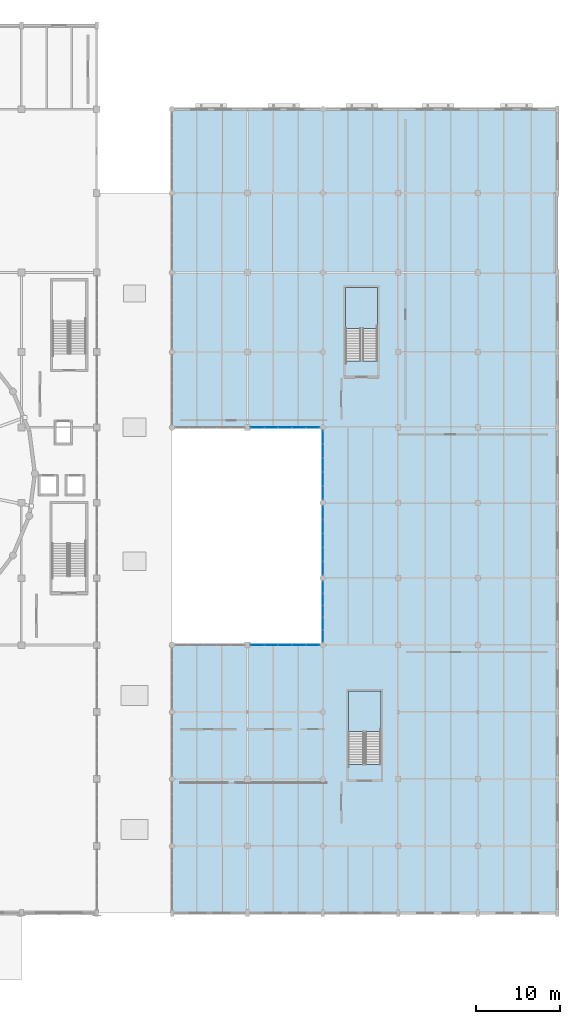
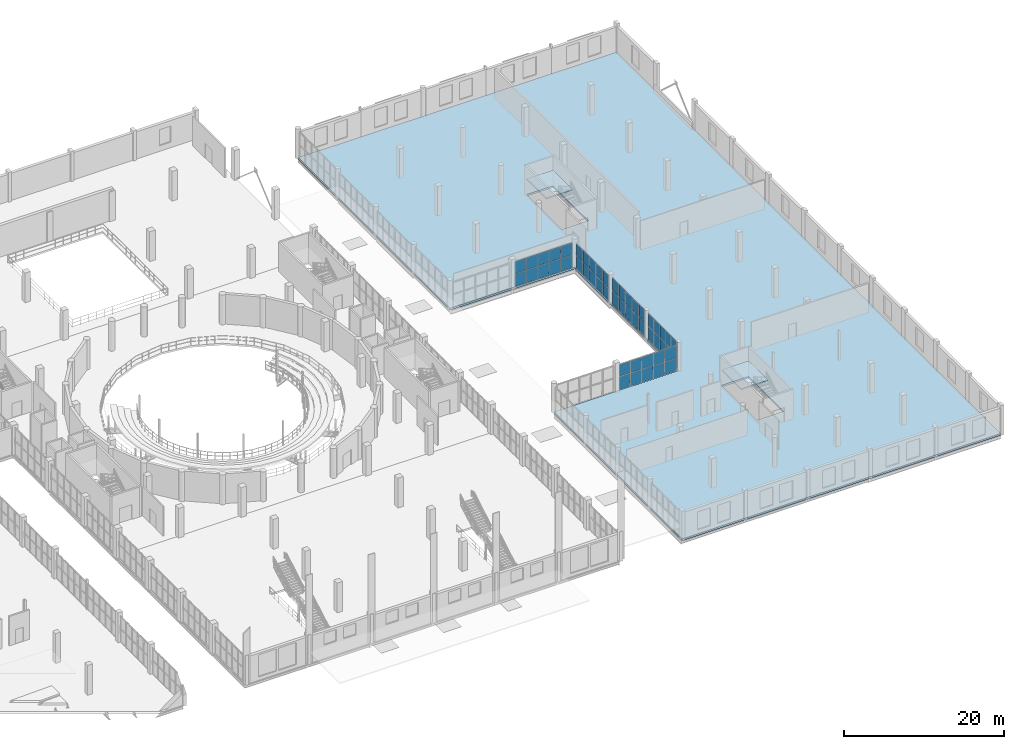
# One storey, part 64 of 93: 50 plates, 3 slabs, 7 elements without a shape of their own.
"""IFC4 building model written with IfcOpenShell, lengths in metres."""

from ifc_helpers import new_model, si_unit, direction, frame, origin, origin_2d, place, context, subcontext, project, spatial, polyline, rectangle, outline, extrude, material, layer, layer_set, type_object, element, aggregate, save


model = new_model("IFC4")

# Units and contexts
model_context = context("Model", 3, precision=1e-05, world=origin(), true_north=direction((0.0, 1.0)))
body_context = subcontext(model_context, "Body", "Model", "MODEL_VIEW")
ifc_project = project(units=[si_unit("LENGTHUNIT", "METRE"), si_unit("AREAUNIT", "SQUARE_METRE"), si_unit("VOLUMEUNIT", "CUBIC_METRE"), si_unit("PLANEANGLEUNIT", "RADIAN"), si_unit("MASSUNIT", "GRAM", prefix="KILO")], contexts=[model_context])

# Site, building, storey
site_placement = place(None, origin())
site = spatial("IfcSite", under=ifc_project, at=site_placement, CompositionType="ELEMENT")
building_placement = place(site_placement, origin())
building = spatial("IfcBuilding", under=site, at=building_placement, Name="Marnock Terrace Opera House", CompositionType="ELEMENT")
storey_placement = place(building_placement, frame((0.0, 0.0, 5.39990234375)))
storey = spatial("IfcBuildingStorey", under=building, at=storey_placement, Name="L01", CompositionType="ELEMENT", Elevation=5.39990234375)

# Curtain wall, plates
ifc_material_1 = material(Name="Anodised architectural bronze aluminium framing", Category="aluminium")
ifc_layer_1 = layer(ifc_material_1, 0.159912109375)
ifc_layer_set_1 = layer_set([ifc_layer_1], Name="Anodised architectural bronze aluminium framing")
curtain_wall_type = type_object("IfcCurtainWallType", Name="CW-LOGGIA-86x45", PredefinedType="NOTDEFINED", material=ifc_layer_set_1)
curtain_wall_1_placement = place(storey_placement, origin())
curtain_wall_1 = element("IfcCurtainWall", 1, at=curtain_wall_1_placement, inside=storey, type_object=curtain_wall_type, Name="L01 glazed Beaux-Arts colonnade curtain wall CW-V5-L01-CS2", PredefinedType="NOTDEFINED")
ifc_material_2 = material(Name="Double-glazed acoustic low-E laminated glass", Category="glass")
ifc_layer_2 = layer(ifc_material_2, 0.028076171875)
ifc_layer_set_2 = layer_set([ifc_layer_2], Name="Double-glazed acoustic low-E laminated glass")
plate_type = type_object("IfcPlateType", Name="CWP-GLZ-28", PredefinedType="CURTAIN_PANEL", material=ifc_layer_set_2)
plate_1_placement = place(storey_placement, frame((128.19189453125, 40.0, 0.06005859375), z_axis=(0.0, 0.0, 1.0), x_axis=(1.0, 0.0, 0.0)))
plate_1 = element("IfcPlate", 2, at=plate_1_placement, type_object=plate_type, Name="CW-61 panel 1.1", PredefinedType="CURTAIN_PANEL", context=body_context, shape_type="SweptSolid", body=[
    extrude(rectangle(XDim=1.571533203125, YDim=0.028076171875, at=origin_2d()), origin(), (0.0, 0.0, 1.0), 1.97802734375),
])
plate_2_placement = place(storey_placement, frame((128.19189453125, 40.0, 2.09814453125), z_axis=(0.0, 0.0, 1.0), x_axis=(1.0, 0.0, 0.0)))
plate_2 = element("IfcPlate", 3, at=plate_2_placement, type_object=plate_type, Name="CW-61 panel 1.2", PredefinedType="CURTAIN_PANEL", context=body_context, shape_type="SweptSolid", body=[
    extrude(rectangle(XDim=1.571533203125, YDim=0.028076171875, at=origin_2d()), origin(), (0.0, 0.0, 1.0), 1.819091796875),
])
plate_3_placement = place(storey_placement, frame((129.83837890625, 40.0, 0.06005859375), z_axis=(0.0, 0.0, 1.0), x_axis=(1.0, 0.0, 0.0)))
plate_3 = element("IfcPlate", 4, at=plate_3_placement, type_object=plate_type, Name="CW-61 panel 2.1", PredefinedType="CURTAIN_PANEL", context=body_context, shape_type="SweptSolid", body=[
    extrude(rectangle(XDim=1.6015625, YDim=0.028076171875, at=origin_2d()), origin(), (0.0, 0.0, 1.0), 1.97802734375),
])
plate_4_placement = place(storey_placement, frame((129.83837890625, 40.0, 2.09814453125), z_axis=(0.0, 0.0, 1.0), x_axis=(1.0, 0.0, 0.0)))
plate_4 = element("IfcPlate", 5, at=plate_4_placement, type_object=plate_type, Name="CW-61 panel 2.2", PredefinedType="CURTAIN_PANEL", context=body_context, shape_type="SweptSolid", body=[
    extrude(rectangle(XDim=1.6015625, YDim=0.028076171875, at=origin_2d()), origin(), (0.0, 0.0, 1.0), 1.819091796875),
])
plate_5_placement = place(storey_placement, frame((131.5, 40.0, 0.06005859375), z_axis=(0.0, 0.0, 1.0), x_axis=(1.0, 0.0, 0.0)))
plate_5 = element("IfcPlate", 6, at=plate_5_placement, type_object=plate_type, Name="CW-61 panel 3.1", PredefinedType="CURTAIN_PANEL", context=body_context, shape_type="SweptSolid", body=[
    extrude(rectangle(XDim=1.6015625, YDim=0.028076171875, at=origin_2d()), origin(), (0.0, 0.0, 1.0), 1.97802734375),
])
plate_6_placement = place(storey_placement, frame((131.5, 40.0, 2.09814453125), z_axis=(0.0, 0.0, 1.0), x_axis=(1.0, 0.0, 0.0)))
plate_6 = element("IfcPlate", 7, at=plate_6_placement, type_object=plate_type, Name="CW-61 panel 3.2", PredefinedType="CURTAIN_PANEL", context=body_context, shape_type="SweptSolid", body=[
    extrude(rectangle(XDim=1.6015625, YDim=0.028076171875, at=origin_2d()), origin(), (0.0, 0.0, 1.0), 1.819091796875),
])
plate_7_placement = place(storey_placement, frame((133.16162109375, 40.0, 0.06005859375), z_axis=(0.0, 0.0, 1.0), x_axis=(1.0, 0.0, 0.0)))
plate_7 = element("IfcPlate", 8, at=plate_7_placement, type_object=plate_type, Name="CW-61 panel 4.1", PredefinedType="CURTAIN_PANEL", context=body_context, shape_type="SweptSolid", body=[
    extrude(rectangle(XDim=1.6015625, YDim=0.028076171875, at=origin_2d()), origin(), (0.0, 0.0, 1.0), 1.97802734375),
])
plate_8_placement = place(storey_placement, frame((133.16162109375, 40.0, 2.09814453125), z_axis=(0.0, 0.0, 1.0), x_axis=(1.0, 0.0, 0.0)))
plate_8 = element("IfcPlate", 9, at=plate_8_placement, type_object=plate_type, Name="CW-61 panel 4.2", PredefinedType="CURTAIN_PANEL", context=body_context, shape_type="SweptSolid", body=[
    extrude(rectangle(XDim=1.6015625, YDim=0.028076171875, at=origin_2d()), origin(), (0.0, 0.0, 1.0), 1.819091796875),
])
plate_9_placement = place(storey_placement, frame((134.80810546875, 40.0, 0.06005859375), z_axis=(0.0, 0.0, 1.0), x_axis=(1.0, 0.0, 0.0)))
plate_9 = element("IfcPlate", 10, at=plate_9_placement, type_object=plate_type, Name="CW-61 panel 5.1", PredefinedType="CURTAIN_PANEL", context=body_context, shape_type="SweptSolid", body=[
    extrude(rectangle(XDim=1.571533203125, YDim=0.028076171875, at=origin_2d()), origin(), (0.0, 0.0, 1.0), 1.97802734375),
])
plate_10_placement = place(storey_placement, frame((134.80810546875, 40.0, 2.09814453125), z_axis=(0.0, 0.0, 1.0), x_axis=(1.0, 0.0, 0.0)))
plate_10 = element("IfcPlate", 11, at=plate_10_placement, type_object=plate_type, Name="CW-61 panel 5.2", PredefinedType="CURTAIN_PANEL", context=body_context, shape_type="SweptSolid", body=[
    extrude(rectangle(XDim=1.571533203125, YDim=0.028076171875, at=origin_2d()), origin(), (0.0, 0.0, 1.0), 1.819091796875),
])
aggregate(curtain_wall_1, [plate_1, plate_2, plate_3, plate_4, plate_5, plate_6, plate_7, plate_8, plate_9, plate_10])

curtain_wall_2_placement = place(storey_placement, origin())
curtain_wall_2 = element("IfcCurtainWall", 12, at=curtain_wall_2_placement, inside=storey, type_object=curtain_wall_type, Name="L01 glazed Beaux-Arts colonnade curtain wall CW-V5-L01-CE1", PredefinedType="NOTDEFINED")
plate_11_placement = place(storey_placement, frame((136.0, 41.091796875, 0.06005859375), z_axis=(0.0, 0.0, 1.0), x_axis=(0.0, 1.0, 0.0)))
plate_11 = element("IfcPlate", 13, at=plate_11_placement, type_object=plate_type, Name="CW-61 panel 1.1", PredefinedType="CURTAIN_PANEL", context=body_context, shape_type="SweptSolid", body=[
    extrude(rectangle(XDim=1.37158203125, YDim=0.028076171875, at=origin_2d()), origin(), (0.0, 0.0, 1.0), 2.0703125),
])
plate_12_placement = place(storey_placement, frame((136.0, 41.091796875, 2.1904296875), z_axis=(0.0, 0.0, 1.0), x_axis=(0.0, 1.0, 0.0)))
plate_12 = element("IfcPlate", 14, at=plate_12_placement, type_object=plate_type, Name="CW-61 panel 1.2", PredefinedType="CURTAIN_PANEL", context=body_context, shape_type="SweptSolid", body=[
    extrude(rectangle(XDim=1.37158203125, YDim=0.028076171875, at=origin_2d()), origin(), (0.0, 0.0, 1.0), 1.904052734375),
])
plate_13_placement = place(storey_placement, frame((136.0, 42.538330078125, 0.06005859375), z_axis=(0.0, 0.0, 1.0), x_axis=(0.0, 1.0, 0.0)))
plate_13 = element("IfcPlate", 15, at=plate_13_placement, type_object=plate_type, Name="CW-61 panel 2.1", PredefinedType="CURTAIN_PANEL", context=body_context, shape_type="SweptSolid", body=[
    extrude(rectangle(XDim=1.401611328125, YDim=0.028076171875, at=origin_2d()), origin(), (0.0, 0.0, 1.0), 2.0703125),
])
plate_14_placement = place(storey_placement, frame((136.0, 42.538330078125, 2.1904296875), z_axis=(0.0, 0.0, 1.0), x_axis=(0.0, 1.0, 0.0)))
plate_14 = element("IfcPlate", 16, at=plate_14_placement, type_object=plate_type, Name="CW-61 panel 2.2", PredefinedType="CURTAIN_PANEL", context=body_context, shape_type="SweptSolid", body=[
    extrude(rectangle(XDim=1.401611328125, YDim=0.028076171875, at=origin_2d()), origin(), (0.0, 0.0, 1.0), 1.904052734375),
])
plate_15_placement = place(storey_placement, frame((136.0, 44.0, 0.06005859375), z_axis=(0.0, 0.0, 1.0), x_axis=(0.0, 1.0, 0.0)))
plate_15 = element("IfcPlate", 17, at=plate_15_placement, type_object=plate_type, Name="CW-61 panel 3.1", PredefinedType="CURTAIN_PANEL", context=body_context, shape_type="SweptSolid", body=[
    extrude(rectangle(XDim=1.401611328125, YDim=0.028076171875, at=origin_2d()), origin(), (0.0, 0.0, 1.0), 2.0703125),
])
plate_16_placement = place(storey_placement, frame((136.0, 44.0, 2.1904296875), z_axis=(0.0, 0.0, 1.0), x_axis=(0.0, 1.0, 0.0)))
plate_16 = element("IfcPlate", 18, at=plate_16_placement, type_object=plate_type, Name="CW-61 panel 3.2", PredefinedType="CURTAIN_PANEL", context=body_context, shape_type="SweptSolid", body=[
    extrude(rectangle(XDim=1.401611328125, YDim=0.028076171875, at=origin_2d()), origin(), (0.0, 0.0, 1.0), 1.904052734375),
])
plate_17_placement = place(storey_placement, frame((136.0, 45.461669921875, 0.06005859375), z_axis=(0.0, 0.0, 1.0), x_axis=(0.0, 1.0, 0.0)))
plate_17 = element("IfcPlate", 19, at=plate_17_placement, type_object=plate_type, Name="CW-61 panel 4.1", PredefinedType="CURTAIN_PANEL", context=body_context, shape_type="SweptSolid", body=[
    extrude(rectangle(XDim=1.401611328125, YDim=0.028076171875, at=origin_2d()), origin(), (0.0, 0.0, 1.0), 2.0703125),
])
plate_18_placement = place(storey_placement, frame((136.0, 45.461669921875, 2.1904296875), z_axis=(0.0, 0.0, 1.0), x_axis=(0.0, 1.0, 0.0)))
plate_18 = element("IfcPlate", 20, at=plate_18_placement, type_object=plate_type, Name="CW-61 panel 4.2", PredefinedType="CURTAIN_PANEL", context=body_context, shape_type="SweptSolid", body=[
    extrude(rectangle(XDim=1.401611328125, YDim=0.028076171875, at=origin_2d()), origin(), (0.0, 0.0, 1.0), 1.904052734375),
])
plate_19_placement = place(storey_placement, frame((136.0, 46.908203125, 0.06005859375), z_axis=(0.0, 0.0, 1.0), x_axis=(0.0, 1.0, 0.0)))
plate_19 = element("IfcPlate", 21, at=plate_19_placement, type_object=plate_type, Name="CW-61 panel 5.1", PredefinedType="CURTAIN_PANEL", context=body_context, shape_type="SweptSolid", body=[
    extrude(rectangle(XDim=1.37158203125, YDim=0.028076171875, at=origin_2d()), origin(), (0.0, 0.0, 1.0), 2.0703125),
])
plate_20_placement = place(storey_placement, frame((136.0, 46.908203125, 2.1904296875), z_axis=(0.0, 0.0, 1.0), x_axis=(0.0, 1.0, 0.0)))
plate_20 = element("IfcPlate", 22, at=plate_20_placement, type_object=plate_type, Name="CW-61 panel 5.2", PredefinedType="CURTAIN_PANEL", context=body_context, shape_type="SweptSolid", body=[
    extrude(rectangle(XDim=1.37158203125, YDim=0.028076171875, at=origin_2d()), origin(), (0.0, 0.0, 1.0), 1.904052734375),
])
aggregate(curtain_wall_2, [plate_11, plate_12, plate_13, plate_14, plate_15, plate_16, plate_17, plate_18, plate_19, plate_20])

curtain_wall_3_placement = place(storey_placement, origin())
curtain_wall_3 = element("IfcCurtainWall", 23, at=curtain_wall_3_placement, inside=storey, type_object=curtain_wall_type, Name="L01 glazed Beaux-Arts colonnade curtain wall CW-V5-L01-CE2", PredefinedType="NOTDEFINED")
plate_21_placement = place(storey_placement, frame((136.0, 49.19189453125, 0.06005859375), z_axis=(0.0, 0.0, 1.0), x_axis=(0.0, 1.0, 0.0)))
plate_21 = element("IfcPlate", 24, at=plate_21_placement, type_object=plate_type, Name="CW-61 panel 1.1", PredefinedType="CURTAIN_PANEL", context=body_context, shape_type="SweptSolid", body=[
    extrude(rectangle(XDim=1.571533203125, YDim=0.028076171875, at=origin_2d()), origin(), (0.0, 0.0, 1.0), 2.0703125),
])
plate_22_placement = place(storey_placement, frame((136.0, 49.19189453125, 2.1904296875), z_axis=(0.0, 0.0, 1.0), x_axis=(0.0, 1.0, 0.0)))
plate_22 = element("IfcPlate", 25, at=plate_22_placement, type_object=plate_type, Name="CW-61 panel 1.2", PredefinedType="CURTAIN_PANEL", context=body_context, shape_type="SweptSolid", body=[
    extrude(rectangle(XDim=1.571533203125, YDim=0.028076171875, at=origin_2d()), origin(), (0.0, 0.0, 1.0), 1.904052734375),
])
plate_23_placement = place(storey_placement, frame((136.0, 50.83837890625, 0.06005859375), z_axis=(0.0, 0.0, 1.0), x_axis=(0.0, 1.0, 0.0)))
plate_23 = element("IfcPlate", 26, at=plate_23_placement, type_object=plate_type, Name="CW-61 panel 2.1", PredefinedType="CURTAIN_PANEL", context=body_context, shape_type="SweptSolid", body=[
    extrude(rectangle(XDim=1.6015625, YDim=0.028076171875, at=origin_2d()), origin(), (0.0, 0.0, 1.0), 2.0703125),
])
plate_24_placement = place(storey_placement, frame((136.0, 50.83837890625, 2.1904296875), z_axis=(0.0, 0.0, 1.0), x_axis=(0.0, 1.0, 0.0)))
plate_24 = element("IfcPlate", 27, at=plate_24_placement, type_object=plate_type, Name="CW-61 panel 2.2", PredefinedType="CURTAIN_PANEL", context=body_context, shape_type="SweptSolid", body=[
    extrude(rectangle(XDim=1.6015625, YDim=0.028076171875, at=origin_2d()), origin(), (0.0, 0.0, 1.0), 1.904052734375),
])
plate_25_placement = place(storey_placement, frame((136.0, 52.5, 0.06005859375), z_axis=(0.0, 0.0, 1.0), x_axis=(0.0, 1.0, 0.0)))
plate_25 = element("IfcPlate", 28, at=plate_25_placement, type_object=plate_type, Name="CW-61 panel 3.1", PredefinedType="CURTAIN_PANEL", context=body_context, shape_type="SweptSolid", body=[
    extrude(rectangle(XDim=1.6015625, YDim=0.028076171875, at=origin_2d()), origin(), (0.0, 0.0, 1.0), 2.0703125),
])
plate_26_placement = place(storey_placement, frame((136.0, 52.5, 2.1904296875), z_axis=(0.0, 0.0, 1.0), x_axis=(0.0, 1.0, 0.0)))
plate_26 = element("IfcPlate", 29, at=plate_26_placement, type_object=plate_type, Name="CW-61 panel 3.2", PredefinedType="CURTAIN_PANEL", context=body_context, shape_type="SweptSolid", body=[
    extrude(rectangle(XDim=1.6015625, YDim=0.028076171875, at=origin_2d()), origin(), (0.0, 0.0, 1.0), 1.904052734375),
])
plate_27_placement = place(storey_placement, frame((136.0, 54.16162109375, 0.06005859375), z_axis=(0.0, 0.0, 1.0), x_axis=(0.0, 1.0, 0.0)))
plate_27 = element("IfcPlate", 30, at=plate_27_placement, type_object=plate_type, Name="CW-61 panel 4.1", PredefinedType="CURTAIN_PANEL", context=body_context, shape_type="SweptSolid", body=[
    extrude(rectangle(XDim=1.6015625, YDim=0.028076171875, at=origin_2d()), origin(), (0.0, 0.0, 1.0), 2.0703125),
])
plate_28_placement = place(storey_placement, frame((136.0, 54.16162109375, 2.1904296875), z_axis=(0.0, 0.0, 1.0), x_axis=(0.0, 1.0, 0.0)))
plate_28 = element("IfcPlate", 31, at=plate_28_placement, type_object=plate_type, Name="CW-61 panel 4.2", PredefinedType="CURTAIN_PANEL", context=body_context, shape_type="SweptSolid", body=[
    extrude(rectangle(XDim=1.6015625, YDim=0.028076171875, at=origin_2d()), origin(), (0.0, 0.0, 1.0), 1.904052734375),
])
plate_29_placement = place(storey_placement, frame((136.0, 55.80810546875, 0.06005859375), z_axis=(0.0, 0.0, 1.0), x_axis=(0.0, 1.0, 0.0)))
plate_29 = element("IfcPlate", 32, at=plate_29_placement, type_object=plate_type, Name="CW-61 panel 5.1", PredefinedType="CURTAIN_PANEL", context=body_context, shape_type="SweptSolid", body=[
    extrude(rectangle(XDim=1.571533203125, YDim=0.028076171875, at=origin_2d()), origin(), (0.0, 0.0, 1.0), 2.0703125),
])
plate_30_placement = place(storey_placement, frame((136.0, 55.80810546875, 2.1904296875), z_axis=(0.0, 0.0, 1.0), x_axis=(0.0, 1.0, 0.0)))
plate_30 = element("IfcPlate", 33, at=plate_30_placement, type_object=plate_type, Name="CW-61 panel 5.2", PredefinedType="CURTAIN_PANEL", context=body_context, shape_type="SweptSolid", body=[
    extrude(rectangle(XDim=1.571533203125, YDim=0.028076171875, at=origin_2d()), origin(), (0.0, 0.0, 1.0), 1.904052734375),
])
aggregate(curtain_wall_3, [plate_21, plate_22, plate_23, plate_24, plate_25, plate_26, plate_27, plate_28, plate_29, plate_30])

curtain_wall_4_placement = place(storey_placement, origin())
curtain_wall_4 = element("IfcCurtainWall", 34, at=curtain_wall_4_placement, inside=storey, type_object=curtain_wall_type, Name="L01 glazed Beaux-Arts colonnade curtain wall CW-V5-L01-CE3", PredefinedType="NOTDEFINED")
plate_31_placement = place(storey_placement, frame((136.0, 58.19189453125, 0.06005859375), z_axis=(0.0, 0.0, 1.0), x_axis=(0.0, 1.0, 0.0)))
plate_31 = element("IfcPlate", 35, at=plate_31_placement, type_object=plate_type, Name="CW-61 panel 1.1", PredefinedType="CURTAIN_PANEL", context=body_context, shape_type="SweptSolid", body=[
    extrude(rectangle(XDim=1.571533203125, YDim=0.028076171875, at=origin_2d()), origin(), (0.0, 0.0, 1.0), 1.942138671875),
])
plate_32_placement = place(storey_placement, frame((136.0, 58.19189453125, 2.06201171875), z_axis=(0.0, 0.0, 1.0), x_axis=(0.0, 1.0, 0.0)))
plate_32 = element("IfcPlate", 36, at=plate_32_placement, type_object=plate_type, Name="CW-61 panel 1.2", PredefinedType="CURTAIN_PANEL", context=body_context, shape_type="SweptSolid", body=[
    extrude(rectangle(XDim=1.571533203125, YDim=0.028076171875, at=origin_2d()), origin(), (0.0, 0.0, 1.0), 1.785888671875),
])
plate_33_placement = place(storey_placement, frame((136.0, 59.83837890625, 0.06005859375), z_axis=(0.0, 0.0, 1.0), x_axis=(0.0, 1.0, 0.0)))
plate_33 = element("IfcPlate", 37, at=plate_33_placement, type_object=plate_type, Name="CW-61 panel 2.1", PredefinedType="CURTAIN_PANEL", context=body_context, shape_type="SweptSolid", body=[
    extrude(rectangle(XDim=1.6015625, YDim=0.028076171875, at=origin_2d()), origin(), (0.0, 0.0, 1.0), 1.942138671875),
])
plate_34_placement = place(storey_placement, frame((136.0, 59.83837890625, 2.06201171875), z_axis=(0.0, 0.0, 1.0), x_axis=(0.0, 1.0, 0.0)))
plate_34 = element("IfcPlate", 38, at=plate_34_placement, type_object=plate_type, Name="CW-61 panel 2.2", PredefinedType="CURTAIN_PANEL", context=body_context, shape_type="SweptSolid", body=[
    extrude(rectangle(XDim=1.6015625, YDim=0.028076171875, at=origin_2d()), origin(), (0.0, 0.0, 1.0), 1.785888671875),
])
plate_35_placement = place(storey_placement, frame((136.0, 61.5, 0.06005859375), z_axis=(0.0, 0.0, 1.0), x_axis=(0.0, 1.0, 0.0)))
plate_35 = element("IfcPlate", 39, at=plate_35_placement, type_object=plate_type, Name="CW-61 panel 3.1", PredefinedType="CURTAIN_PANEL", context=body_context, shape_type="SweptSolid", body=[
    extrude(rectangle(XDim=1.6015625, YDim=0.028076171875, at=origin_2d()), origin(), (0.0, 0.0, 1.0), 1.942138671875),
])
plate_36_placement = place(storey_placement, frame((136.0, 61.5, 2.06201171875), z_axis=(0.0, 0.0, 1.0), x_axis=(0.0, 1.0, 0.0)))
plate_36 = element("IfcPlate", 40, at=plate_36_placement, type_object=plate_type, Name="CW-61 panel 3.2", PredefinedType="CURTAIN_PANEL", context=body_context, shape_type="SweptSolid", body=[
    extrude(rectangle(XDim=1.6015625, YDim=0.028076171875, at=origin_2d()), origin(), (0.0, 0.0, 1.0), 1.785888671875),
])
plate_37_placement = place(storey_placement, frame((136.0, 63.16162109375, 0.06005859375), z_axis=(0.0, 0.0, 1.0), x_axis=(0.0, 1.0, 0.0)))
plate_37 = element("IfcPlate", 41, at=plate_37_placement, type_object=plate_type, Name="CW-61 panel 4.1", PredefinedType="CURTAIN_PANEL", context=body_context, shape_type="SweptSolid", body=[
    extrude(rectangle(XDim=1.6015625, YDim=0.028076171875, at=origin_2d()), origin(), (0.0, 0.0, 1.0), 1.942138671875),
])
plate_38_placement = place(storey_placement, frame((136.0, 63.16162109375, 2.06201171875), z_axis=(0.0, 0.0, 1.0), x_axis=(0.0, 1.0, 0.0)))
plate_38 = element("IfcPlate", 42, at=plate_38_placement, type_object=plate_type, Name="CW-61 panel 4.2", PredefinedType="CURTAIN_PANEL", context=body_context, shape_type="SweptSolid", body=[
    extrude(rectangle(XDim=1.6015625, YDim=0.028076171875, at=origin_2d()), origin(), (0.0, 0.0, 1.0), 1.785888671875),
])
plate_39_placement = place(storey_placement, frame((136.0, 64.80810546875, 0.06005859375), z_axis=(0.0, 0.0, 1.0), x_axis=(0.0, 1.0, 0.0)))
plate_39 = element("IfcPlate", 43, at=plate_39_placement, type_object=plate_type, Name="CW-61 panel 5.1", PredefinedType="CURTAIN_PANEL", context=body_context, shape_type="SweptSolid", body=[
    extrude(rectangle(XDim=1.571533203125, YDim=0.028076171875, at=origin_2d()), origin(), (0.0, 0.0, 1.0), 1.942138671875),
])
plate_40_placement = place(storey_placement, frame((136.0, 64.80810546875, 2.06201171875), z_axis=(0.0, 0.0, 1.0), x_axis=(0.0, 1.0, 0.0)))
plate_40 = element("IfcPlate", 44, at=plate_40_placement, type_object=plate_type, Name="CW-61 panel 5.2", PredefinedType="CURTAIN_PANEL", context=body_context, shape_type="SweptSolid", body=[
    extrude(rectangle(XDim=1.571533203125, YDim=0.028076171875, at=origin_2d()), origin(), (0.0, 0.0, 1.0), 1.785888671875),
])
aggregate(curtain_wall_4, [plate_31, plate_32, plate_33, plate_34, plate_35, plate_36, plate_37, plate_38, plate_39, plate_40])

curtain_wall_5_placement = place(storey_placement, origin())
curtain_wall_5 = element("IfcCurtainWall", 45, at=curtain_wall_5_placement, inside=storey, type_object=curtain_wall_type, Name="L01 glazed Beaux-Arts colonnade curtain wall CW-V5-L01-CN2", PredefinedType="NOTDEFINED")
plate_41_placement = place(storey_placement, frame((128.19189453125, 66.0, 0.06005859375), z_axis=(0.0, 0.0, 1.0), x_axis=(1.0, 0.0, 0.0)))
plate_41 = element("IfcPlate", 46, at=plate_41_placement, type_object=plate_type, Name="CW-61 panel 1.1", PredefinedType="CURTAIN_PANEL", context=body_context, shape_type="SweptSolid", body=[
    extrude(rectangle(XDim=1.571533203125, YDim=0.028076171875, at=origin_2d()), origin(), (0.0, 0.0, 1.0), 1.937255859375),
])
plate_42_placement = place(storey_placement, frame((128.19189453125, 66.0, 2.057373046875), z_axis=(0.0, 0.0, 1.0), x_axis=(1.0, 0.0, 0.0)))
plate_42 = element("IfcPlate", 47, at=plate_42_placement, type_object=plate_type, Name="CW-61 panel 1.2", PredefinedType="CURTAIN_PANEL", context=body_context, shape_type="SweptSolid", body=[
    extrude(rectangle(XDim=1.571533203125, YDim=0.028076171875, at=origin_2d()), origin(), (0.0, 0.0, 1.0), 1.78125),
])
plate_43_placement = place(storey_placement, frame((129.83837890625, 66.0, 0.06005859375), z_axis=(0.0, 0.0, 1.0), x_axis=(1.0, 0.0, 0.0)))
plate_43 = element("IfcPlate", 48, at=plate_43_placement, type_object=plate_type, Name="CW-61 panel 2.1", PredefinedType="CURTAIN_PANEL", context=body_context, shape_type="SweptSolid", body=[
    extrude(rectangle(XDim=1.6015625, YDim=0.028076171875, at=origin_2d()), origin(), (0.0, 0.0, 1.0), 1.937255859375),
])
plate_44_placement = place(storey_placement, frame((129.83837890625, 66.0, 2.057373046875), z_axis=(0.0, 0.0, 1.0), x_axis=(1.0, 0.0, 0.0)))
plate_44 = element("IfcPlate", 49, at=plate_44_placement, type_object=plate_type, Name="CW-61 panel 2.2", PredefinedType="CURTAIN_PANEL", context=body_context, shape_type="SweptSolid", body=[
    extrude(rectangle(XDim=1.6015625, YDim=0.028076171875, at=origin_2d()), origin(), (0.0, 0.0, 1.0), 1.78125),
])
plate_45_placement = place(storey_placement, frame((131.5, 66.0, 0.06005859375), z_axis=(0.0, 0.0, 1.0), x_axis=(1.0, 0.0, 0.0)))
plate_45 = element("IfcPlate", 50, at=plate_45_placement, type_object=plate_type, Name="CW-61 panel 3.1", PredefinedType="CURTAIN_PANEL", context=body_context, shape_type="SweptSolid", body=[
    extrude(rectangle(XDim=1.6015625, YDim=0.028076171875, at=origin_2d()), origin(), (0.0, 0.0, 1.0), 1.937255859375),
])
plate_46_placement = place(storey_placement, frame((131.5, 66.0, 2.057373046875), z_axis=(0.0, 0.0, 1.0), x_axis=(1.0, 0.0, 0.0)))
plate_46 = element("IfcPlate", 51, at=plate_46_placement, type_object=plate_type, Name="CW-61 panel 3.2", PredefinedType="CURTAIN_PANEL", context=body_context, shape_type="SweptSolid", body=[
    extrude(rectangle(XDim=1.6015625, YDim=0.028076171875, at=origin_2d()), origin(), (0.0, 0.0, 1.0), 1.78125),
])
plate_47_placement = place(storey_placement, frame((133.16162109375, 66.0, 0.06005859375), z_axis=(0.0, 0.0, 1.0), x_axis=(1.0, 0.0, 0.0)))
plate_47 = element("IfcPlate", 52, at=plate_47_placement, type_object=plate_type, Name="CW-61 panel 4.1", PredefinedType="CURTAIN_PANEL", context=body_context, shape_type="SweptSolid", body=[
    extrude(rectangle(XDim=1.6015625, YDim=0.028076171875, at=origin_2d()), origin(), (0.0, 0.0, 1.0), 1.937255859375),
])
plate_48_placement = place(storey_placement, frame((133.16162109375, 66.0, 2.057373046875), z_axis=(0.0, 0.0, 1.0), x_axis=(1.0, 0.0, 0.0)))
plate_48 = element("IfcPlate", 53, at=plate_48_placement, type_object=plate_type, Name="CW-61 panel 4.2", PredefinedType="CURTAIN_PANEL", context=body_context, shape_type="SweptSolid", body=[
    extrude(rectangle(XDim=1.6015625, YDim=0.028076171875, at=origin_2d()), origin(), (0.0, 0.0, 1.0), 1.78125),
])
plate_49_placement = place(storey_placement, frame((134.80810546875, 66.0, 0.06005859375), z_axis=(0.0, 0.0, 1.0), x_axis=(1.0, 0.0, 0.0)))
plate_49 = element("IfcPlate", 54, at=plate_49_placement, type_object=plate_type, Name="CW-61 panel 5.1", PredefinedType="CURTAIN_PANEL", context=body_context, shape_type="SweptSolid", body=[
    extrude(rectangle(XDim=1.571533203125, YDim=0.028076171875, at=origin_2d()), origin(), (0.0, 0.0, 1.0), 1.937255859375),
])
plate_50_placement = place(storey_placement, frame((134.80810546875, 66.0, 2.057373046875), z_axis=(0.0, 0.0, 1.0), x_axis=(1.0, 0.0, 0.0)))
plate_50 = element("IfcPlate", 55, at=plate_50_placement, type_object=plate_type, Name="CW-61 panel 5.2", PredefinedType="CURTAIN_PANEL", context=body_context, shape_type="SweptSolid", body=[
    extrude(rectangle(XDim=1.571533203125, YDim=0.028076171875, at=origin_2d()), origin(), (0.0, 0.0, 1.0), 1.78125),
])
aggregate(curtain_wall_5, [plate_41, plate_42, plate_43, plate_44, plate_45, plate_46, plate_47, plate_48, plate_49, plate_50])

# Slab
ifc_material_3 = material(Name="Concrete N40 (f'c = 40 MPa)", Category="concrete")
ifc_layer_3 = layer(ifc_material_3, 0.280029296875)
ifc_layer_set_3 = layer_set([ifc_layer_3], Name="Concrete N40 (f'c = 40 MPa)")
slab_type_1 = type_object("IfcSlabType", Name="SL-FLR-280", PredefinedType="FLOOR", material=ifc_layer_set_3)
slab_1_placement = place(storey_placement, frame((0.0, 0.0, -0.27978515625)))
element("IfcSlab", 56, at=slab_1_placement, inside=storey, type_object=slab_type_1, Name="L01 Artist Suites C-wing floor slab", PredefinedType="FLOOR", context=body_context, shape_type="SweptSolid", body=[
    extrude(outline(polyline([(118.0, 8.0), (164.0, 8.0), (164.0, 104.0), (118.0, 104.0), (118.0, 66.0), (136.0, 66.0), (136.0, 40.0), (118.0, 40.0), (118.0, 8.0)]), holes=[polyline([(142.919921875, 25.760009765625), (142.919921875, 34.52001953125), (139.0400390625, 34.52001953125), (139.0400390625, 25.760009765625), (142.919921875, 25.760009765625)]), polyline([(142.52001953125, 73.919921875), (142.52001953125, 82.719970703125), (138.719970703125, 82.719970703125), (138.719970703125, 73.919921875), (142.52001953125, 73.919921875)])]), origin(), (0.0, 0.0, 1.0), 0.27978515625),
])

# Stair, slab
stair_type_1 = type_object("IfcStairType", Name="ST-TYPE-2200", PredefinedType="HALF_TURN_STAIR", material=ifc_material_3)
stair_1_placement = place(storey_placement, origin())
stair_1 = element("IfcStair", 57, at=stair_1_placement, inside=storey, type_object=stair_type_1, Name="L01 ST-06", PredefinedType="HALF_TURN_STAIR")
ifc_material_4 = material(Name="Concrete N32 (f'c = 32 MPa)", Category="concrete")
ifc_layer_4 = layer(ifc_material_4, 0.199951171875)
ifc_layer_set_4 = layer_set([ifc_layer_4], Name="Concrete N32 (f'c = 32 MPa)")
slab_type_2 = type_object("IfcSlabType", Name="SL-LAND-200", PredefinedType="LANDING", material=ifc_layer_set_4)
slab_2_placement = place(storey_placement, frame((0.0, 0.0, 2.2001953125)))
slab_2 = element("IfcSlab", 58, at=slab_2_placement, type_object=slab_type_2, Name="ST-06 landing 1", PredefinedType="LANDING", context=body_context, shape_type="SweptSolid", body=[
    extrude(outline(polyline([(142.919921875, 29.659912109375), (142.919921875, 34.52001953125), (139.0400390625, 34.52001953125), (139.0400390625, 29.659912109375), (142.919921875, 29.659912109375)])), origin(), (0.0, 0.0, 1.0), 0.199951171875),
])
aggregate(stair_1, [slab_2])

stair_type_2 = type_object("IfcStairType", Name="ST-TYPE-2000", PredefinedType="HALF_TURN_STAIR", material=ifc_material_3)
stair_2_placement = place(storey_placement, origin())
stair_2 = element("IfcStair", 59, at=stair_2_placement, inside=storey, type_object=stair_type_2, Name="L01 ST-08", PredefinedType="HALF_TURN_STAIR")
slab_3_placement = place(storey_placement, frame((0.0, 0.0, 2.2001953125)))
slab_3 = element("IfcSlab", 60, at=slab_3_placement, type_object=slab_type_2, Name="ST-08 landing 1", PredefinedType="LANDING", context=body_context, shape_type="SweptSolid", body=[
    extrude(outline(polyline([(142.52001953125, 77.820068359375), (142.52001953125, 82.719970703125), (138.719970703125, 82.719970703125), (138.719970703125, 77.820068359375), (142.52001953125, 77.820068359375)])), origin(), (0.0, 0.0, 1.0), 0.199951171875),
])
aggregate(stair_2, [slab_3])

save(model, "model.ifc")
